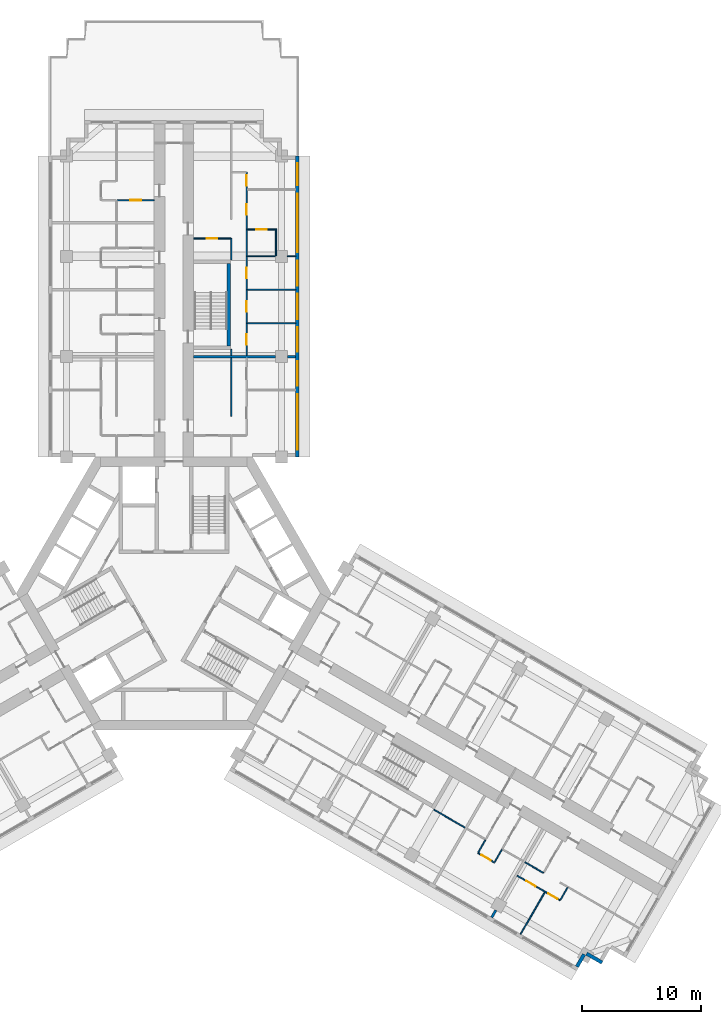
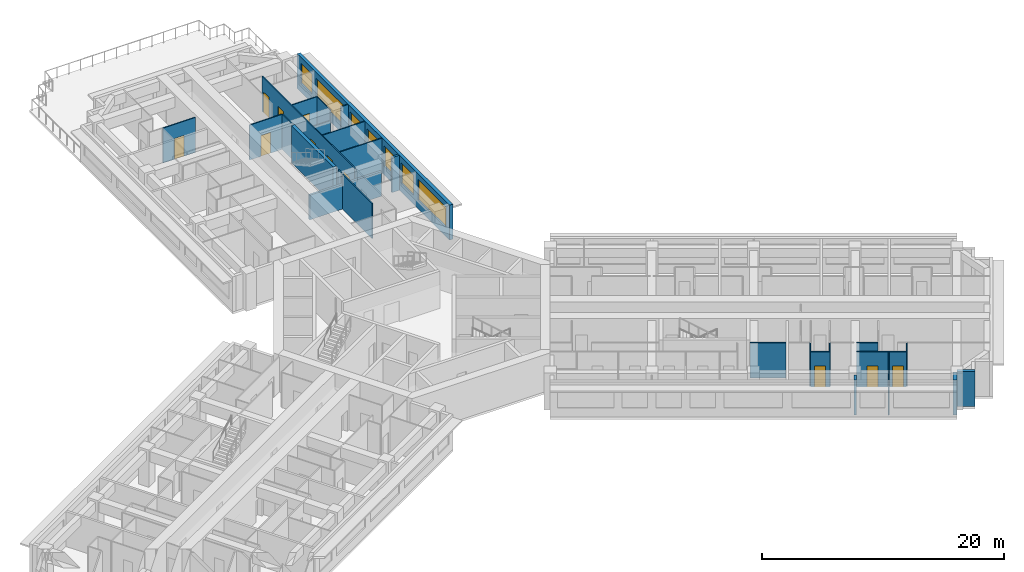
# One storey, part 10 of 16: 27 walls, 11 doors, 7 windows, 18 openings.
"""IFC4 building model written with IfcOpenShell, lengths in metres."""

from ifc_helpers import new_model, si_unit, direction, frame, frame_2d, origin, place, context, subcontext, project, spatial, rectangle, extrude, material, layer, layer_set, type_object, element, fill, save


model = new_model("IFC4")

# Units and contexts
model_context = context("Model", 3, precision=1e-05, world=origin(), true_north=direction((0.0, 1.0)))
body_context = subcontext(model_context, "Body", "Model", "MODEL_VIEW")
ifc_project = project(units=[si_unit("LENGTHUNIT", "METRE"), si_unit("AREAUNIT", "SQUARE_METRE"), si_unit("VOLUMEUNIT", "CUBIC_METRE"), si_unit("PLANEANGLEUNIT", "RADIAN"), si_unit("MASSUNIT", "GRAM", prefix="KILO")], contexts=[model_context])

# Site, building, storey
site_placement = place(None, origin())
site = spatial("IfcSite", under=ifc_project, at=site_placement, CompositionType="ELEMENT")
building_placement = place(site_placement, origin())
building = spatial("IfcBuilding", under=site, at=building_placement, Name="Impinga Residences", CompositionType="ELEMENT")
storey_placement = place(building_placement, frame((0.0, 0.0, 106.0)))
storey = spatial("IfcBuildingStorey", under=building, at=storey_placement, Name="L25", CompositionType="ELEMENT", Elevation=106.0)

# Wall, openings, windows
ifc_material_1 = material(Name="Terracotta rainscreen on blockwork", Category="masonry")
ifc_layer_1 = layer(ifc_material_1, 0.300048828125)
ifc_layer_set_1 = layer_set([ifc_layer_1], Name="EW1 external wall, terracotta rainscreen on blockwork 300")
wall_type_1 = type_object("IfcWallType", Name="EW1 external wall, terracotta rainscreen on blockwork 300", PredefinedType="SOLIDWALL", material=ifc_layer_set_1)
wall_1_placement = place(storey_placement, frame((10.35009765625, 36.631591796875, 0.0), z_axis=(0.0, 0.0, 1.0), x_axis=(0.0, -1.0, 0.0)))
wall_1 = element("IfcWall", 1, at=wall_1_placement, inside=storey, type_object=wall_type_1, Name="External wall EW1 L25", PredefinedType="SOLIDWALL", context=body_context, shape_type="SweptSolid", body=[
    extrude(rectangle(XDim=25.199951171875, YDim=0.300048828125, at=frame_2d((12.60009765625, 0.0))), origin(), (0.0, 0.0, 1.0), 3.530029296875),
])
opening_1_placement = place(wall_1_placement, frame((0.60009765625, 0.0, 0.89990234375)))
opening_1 = element("IfcOpeningElement", 2, at=opening_1_placement, cuts=wall_1, Name="Opening W15", PredefinedType="OPENING", context=body_context, shape_type="SweptSolid", body=[
    extrude(rectangle(XDim=1.85009765625, YDim=2.050048828125, at=frame_2d((0.925048828125, 1.02490234375))), frame((0.0, 0.159912109375, 0.0), z_axis=(0.0, -1.0, 0.0), x_axis=(1.0, 0.0, 0.0)), (0.0, 0.0, 1.0), 0.320068359375),
])
opening_2_placement = place(wall_1_placement, frame((3.14990234375, 0.0, 0.89990234375)))
opening_2 = element("IfcOpeningElement", 3, at=opening_2_placement, cuts=wall_1, Name="Opening W16", PredefinedType="OPENING", context=body_context, shape_type="SweptSolid", body=[
    extrude(rectangle(XDim=4.89990234375, YDim=2.050048828125, at=frame_2d((2.449951171875, 1.02490234375))), frame((0.0, 0.159912109375, 0.0), z_axis=(0.0, -1.0, 0.0), x_axis=(1.0, 0.0, 0.0)), (0.0, 0.0, 1.0), 0.320068359375),
])
opening_3_placement = place(wall_1_placement, frame((8.75, 0.0, 0.89990234375)))
opening_3 = element("IfcOpeningElement", 4, at=opening_3_placement, cuts=wall_1, Name="Opening W9", PredefinedType="OPENING", context=body_context, shape_type="SweptSolid", body=[
    extrude(rectangle(XDim=2.10009765625, YDim=2.050048828125, at=frame_2d((1.050048828125, 1.02490234375))), frame((0.0, 0.159912109375, 0.0), z_axis=(0.0, -1.0, 0.0), x_axis=(1.0, 0.0, 0.0)), (0.0, 0.0, 1.0), 0.320068359375),
])
opening_4_placement = place(wall_1_placement, frame((11.550048828125, 0.0, 0.89990234375)))
opening_4 = element("IfcOpeningElement", 5, at=opening_4_placement, cuts=wall_1, Name="Opening W9", PredefinedType="OPENING", context=body_context, shape_type="SweptSolid", body=[
    extrude(rectangle(XDim=2.10009765625, YDim=2.050048828125, at=frame_2d((1.050048828125, 1.02490234375))), frame((0.0, 0.159912109375, 0.0), z_axis=(0.0, -1.0, 0.0), x_axis=(1.0, 0.0, 0.0)), (0.0, 0.0, 1.0), 0.320068359375),
])
opening_5_placement = place(wall_1_placement, frame((14.35009765625, 0.0, 0.89990234375)))
opening_5 = element("IfcOpeningElement", 6, at=opening_5_placement, cuts=wall_1, Name="Opening W14", PredefinedType="OPENING", context=body_context, shape_type="SweptSolid", body=[
    extrude(rectangle(XDim=2.050048828125, YDim=2.050048828125, at=frame_2d((1.02490234375, 1.02490234375))), frame((0.0, 0.159912109375, 0.0), z_axis=(0.0, -1.0, 0.0), x_axis=(1.0, 0.0, 0.0)), (0.0, 0.0, 1.0), 0.320068359375),
])
opening_6_placement = place(wall_1_placement, frame((17.199951171875, 0.0, 0.89990234375)))
opening_6 = element("IfcOpeningElement", 7, at=opening_6_placement, cuts=wall_1, Name="Opening W14", PredefinedType="OPENING", context=body_context, shape_type="SweptSolid", body=[
    extrude(rectangle(XDim=2.050048828125, YDim=2.050048828125, at=frame_2d((1.02490234375, 1.02490234375))), frame((0.0, 0.159912109375, 0.0), z_axis=(0.0, -1.0, 0.0), x_axis=(1.0, 0.0, 0.0)), (0.0, 0.0, 1.0), 0.320068359375),
])
opening_7_placement = place(wall_1_placement, frame((19.949951171875, 0.0, 0.89990234375)))
opening_7 = element("IfcOpeningElement", 8, at=opening_7_placement, cuts=wall_1, Name="Opening W10", PredefinedType="OPENING", context=body_context, shape_type="SweptSolid", body=[
    extrude(rectangle(XDim=4.64990234375, YDim=2.050048828125, at=frame_2d((2.324951171875, 1.02490234375))), frame((0.0, 0.159912109375, 0.0), z_axis=(0.0, -1.0, 0.0), x_axis=(1.0, 0.0, 0.0)), (0.0, 0.0, 1.0), 0.320068359375),
])
ifc_material_2 = material(Name="Aluminium window, clear double glazing", Category="aluminium")
window_type_1 = type_object("IfcWindowType", Name="W10 ribbon window 4650x2050", PartitioningType="SINGLE_PANEL", PredefinedType="WINDOW", material=ifc_material_2)
window_1_placement = place(opening_7_placement, origin())
window_1 = element("IfcWindow", 9, at=window_1_placement, inside=storey, type_object=window_type_1, Name="Window L25", OverallHeight=2.050048828125, OverallWidth=4.64990234375, PartitioningType="SINGLE_PANEL", PredefinedType="WINDOW", context=body_context, shape_type="SweptSolid", body=[
    extrude(rectangle(XDim=4.64990234375, YDim=2.050048828125, at=frame_2d((2.324951171875, 1.02490234375))), frame((0.0, 0.030029296875, 0.0), z_axis=(0.0, -1.0, 0.0), x_axis=(1.0, 0.0, 0.0)), (0.0, 0.0, 1.0), 0.06005859375),
])
fill(opening_7, window_1)
window_type_2 = type_object("IfcWindowType", Name="W14 ribbon window 2050x2050", PartitioningType="SINGLE_PANEL", PredefinedType="WINDOW", material=ifc_material_2)
window_2_placement = place(opening_5_placement, origin())
window_2 = element("IfcWindow", 10, at=window_2_placement, inside=storey, type_object=window_type_2, Name="Window L25", OverallHeight=2.050048828125, OverallWidth=2.050048828125, PartitioningType="SINGLE_PANEL", PredefinedType="WINDOW", context=body_context, shape_type="SweptSolid", body=[
    extrude(rectangle(XDim=2.050048828125, YDim=2.050048828125, at=frame_2d((1.02490234375, 1.02490234375))), frame((0.0, 0.030029296875, 0.0), z_axis=(0.0, -1.0, 0.0), x_axis=(1.0, 0.0, 0.0)), (0.0, 0.0, 1.0), 0.06005859375),
])
fill(opening_5, window_2)
window_3_placement = place(opening_6_placement, origin())
window_3 = element("IfcWindow", 11, at=window_3_placement, inside=storey, type_object=window_type_2, Name="Window L25", OverallHeight=2.050048828125, OverallWidth=2.050048828125, PartitioningType="SINGLE_PANEL", PredefinedType="WINDOW", context=body_context, shape_type="SweptSolid", body=[
    extrude(rectangle(XDim=2.050048828125, YDim=2.050048828125, at=frame_2d((1.02490234375, 1.02490234375))), frame((0.0, 0.030029296875, 0.0), z_axis=(0.0, -1.0, 0.0), x_axis=(1.0, 0.0, 0.0)), (0.0, 0.0, 1.0), 0.06005859375),
])
fill(opening_6, window_3)
window_type_3 = type_object("IfcWindowType", Name="W15 ribbon window 1850x2050", PartitioningType="SINGLE_PANEL", PredefinedType="WINDOW", material=ifc_material_2)
window_4_placement = place(opening_1_placement, origin())
window_4 = element("IfcWindow", 12, at=window_4_placement, inside=storey, type_object=window_type_3, Name="Window L25", OverallHeight=2.050048828125, OverallWidth=1.85009765625, PartitioningType="SINGLE_PANEL", PredefinedType="WINDOW", context=body_context, shape_type="SweptSolid", body=[
    extrude(rectangle(XDim=1.85009765625, YDim=2.050048828125, at=frame_2d((0.925048828125, 1.02490234375))), frame((0.0, 0.030029296875, 0.0), z_axis=(0.0, -1.0, 0.0), x_axis=(1.0, 0.0, 0.0)), (0.0, 0.0, 1.0), 0.06005859375),
])
fill(opening_1, window_4)
window_type_4 = type_object("IfcWindowType", Name="W16 ribbon window 4900x2050", PartitioningType="SINGLE_PANEL", PredefinedType="WINDOW", material=ifc_material_2)
window_5_placement = place(opening_2_placement, origin())
window_5 = element("IfcWindow", 13, at=window_5_placement, inside=storey, type_object=window_type_4, Name="Window L25", OverallHeight=2.050048828125, OverallWidth=4.89990234375, PartitioningType="SINGLE_PANEL", PredefinedType="WINDOW", context=body_context, shape_type="SweptSolid", body=[
    extrude(rectangle(XDim=4.89990234375, YDim=2.050048828125, at=frame_2d((2.449951171875, 1.02490234375))), frame((0.0, 0.030029296875, 0.0), z_axis=(0.0, -1.0, 0.0), x_axis=(1.0, 0.0, 0.0)), (0.0, 0.0, 1.0), 0.06005859375),
])
fill(opening_2, window_5)
window_type_5 = type_object("IfcWindowType", Name="W9 ribbon window 2100x2050", PartitioningType="SINGLE_PANEL", PredefinedType="WINDOW", material=ifc_material_2)
window_6_placement = place(opening_3_placement, origin())
window_6 = element("IfcWindow", 14, at=window_6_placement, inside=storey, type_object=window_type_5, Name="Window L25", OverallHeight=2.050048828125, OverallWidth=2.10009765625, PartitioningType="SINGLE_PANEL", PredefinedType="WINDOW", context=body_context, shape_type="SweptSolid", body=[
    extrude(rectangle(XDim=2.10009765625, YDim=2.050048828125, at=frame_2d((1.050048828125, 1.02490234375))), frame((0.0, 0.030029296875, 0.0), z_axis=(0.0, -1.0, 0.0), x_axis=(1.0, 0.0, 0.0)), (0.0, 0.0, 1.0), 0.06005859375),
])
fill(opening_3, window_6)
window_7_placement = place(opening_4_placement, origin())
window_7 = element("IfcWindow", 15, at=window_7_placement, inside=storey, type_object=window_type_5, Name="Window L25", OverallHeight=2.050048828125, OverallWidth=2.10009765625, PartitioningType="SINGLE_PANEL", PredefinedType="WINDOW", context=body_context, shape_type="SweptSolid", body=[
    extrude(rectangle(XDim=2.10009765625, YDim=2.050048828125, at=frame_2d((1.050048828125, 1.02490234375))), frame((0.0, 0.030029296875, 0.0), z_axis=(0.0, -1.0, 0.0), x_axis=(1.0, 0.0, 0.0)), (0.0, 0.0, 1.0), 0.06005859375),
])
fill(opening_4, window_7)

# Walls
wall_2_placement = place(storey_placement, frame((35.87255859375, -30.93017578125, 0.0), z_axis=(0.0, 0.0, 1.0), x_axis=(-0.866031096941, 0.499990139034, 0.0)))
element("IfcWall", 16, at=wall_2_placement, inside=storey, type_object=wall_type_1, Name="External wall EW1 L25", PredefinedType="SOLIDWALL", context=body_context, shape_type="SweptSolid", body=[
    extrude(rectangle(XDim=1.5, YDim=0.300048828125, at=frame_2d((0.75, 0.0))), origin(), (0.0, 0.0, 1.0), 3.530029296875),
])
wall_3_placement = place(storey_placement, frame((34.365966796875, -30.2392578125, 0.0), z_axis=(0.0, 0.0, 1.0), x_axis=(-0.499940577336, -0.866059708757, 0.0)))
element("IfcWall", 17, at=wall_3_placement, inside=storey, type_object=wall_type_1, Name="External wall EW1 L25", PredefinedType="SOLIDWALL", context=body_context, shape_type="SweptSolid", body=[
    extrude(rectangle(XDim=1.195068359375, YDim=0.300048828125, at=frame_2d((0.59765625, 0.0))), origin(), (0.0, 0.0, 1.0), 3.530029296875),
])

# Wall, opening, door
ifc_material_3 = material(Name="Gypsum board on steel studs", Category="steel")
ifc_layer_2 = layer(ifc_material_3, 0.10009765625)
ifc_layer_set_2 = layer_set([ifc_layer_2], Name="Gypsum board on steel studs")
wall_type_2 = type_object("IfcWallType", Name="IP1 partition 100", PredefinedType="PARTITIONING", material=ifc_layer_set_2)
wall_4_placement = place(storey_placement, frame((-1.64990234375, 32.931640625, 0.0), z_axis=(0.0, 0.0, 1.0), x_axis=(-1.0, 0.0, 0.0)))
wall_4 = element("IfcWall", 18, at=wall_4_placement, inside=storey, type_object=wall_type_2, Name="Partition L25-NA4:IB1", PredefinedType="PARTITIONING", context=body_context, shape_type="SweptSolid", body=[
    extrude(rectangle(XDim=3.10009765625, YDim=0.10009765625, at=frame_2d((1.550048828125, 0.0))), origin(), (0.0, 0.0, 1.0), 3.530029296875),
])
opening_8_placement = place(wall_4_placement, frame((1.10009765625, 0.0, 0.0)))
opening_8 = element("IfcOpeningElement", 19, at=opening_8_placement, cuts=wall_4, Name="Opening D2", PredefinedType="OPENING", context=body_context, shape_type="SweptSolid", body=[
    extrude(rectangle(XDim=0.89990234375, YDim=2.10009765625, at=frame_2d((0.449951171875, 1.050048828125))), frame((0.0, 0.06005859375, 0.0), z_axis=(0.0, -1.0, 0.0), x_axis=(1.0, 0.0, 0.0)), (0.0, 0.0, 1.0), 0.1201171875),
])
ifc_material_4 = material(Name="Timber door set", Category="wood")
door_type = type_object("IfcDoorType", Name="D2 internal door 900x2100", OperationType="SINGLE_SWING_LEFT", PredefinedType="DOOR", material=ifc_material_4)
door_1_placement = place(opening_8_placement, origin())
door_1 = element("IfcDoor", 20, at=door_1_placement, inside=storey, type_object=door_type, Name="Apartment L25-NA4 bathroom door", OperationType="SINGLE_SWING_LEFT", OverallHeight=2.10009765625, OverallWidth=0.89990234375, PredefinedType="DOOR", context=body_context, shape_type="SweptSolid", body=[
    extrude(rectangle(XDim=0.89990234375, YDim=2.10009765625, at=frame_2d((0.449951171875, 1.050048828125))), frame((0.0, 0.02490234375, 0.0), z_axis=(0.0, -1.0, 0.0), x_axis=(1.0, 0.0, 0.0)), (0.0, 0.0, 1.0), 0.050048828125),
])
fill(opening_8, door_1)

# Walls
wall_5_placement = place(storey_placement, frame((4.800048828125, 14.83154296875, 0.0), z_axis=(0.0, 0.0, 1.0), x_axis=(0.0, 1.0, 0.0)))
element("IfcWall", 21, at=wall_5_placement, inside=storey, type_object=wall_type_2, Name="Partition L25-NF1:DIV1", PredefinedType="PARTITIONING", context=body_context, shape_type="SweptSolid", body=[
    extrude(rectangle(XDim=4.89990234375, YDim=0.10009765625, at=frame_2d((2.449951171875, 0.0))), origin(), (0.0, 0.0, 1.0), 3.530029296875),
])
wall_6_placement = place(storey_placement, frame((4.800048828125, 19.931640625, 0.0), z_axis=(0.0, 0.0, 1.0), x_axis=(0.0, 1.0, 0.0)))
element("IfcWall", 22, at=wall_6_placement, inside=storey, type_object=wall_type_2, Name="Partition L25-NF2:DIV0", PredefinedType="PARTITIONING", context=body_context, shape_type="SweptSolid", body=[
    extrude(rectangle(XDim=0.5, YDim=0.10009765625, at=frame_2d((0.25, 0.0))), origin(), (0.0, 0.0, 1.0), 3.530029296875),
])
wall_7_placement = place(storey_placement, frame((4.800048828125, 27.931640625, 0.0), z_axis=(0.0, 0.0, 1.0), x_axis=(0.0, 1.0, 0.0)))
element("IfcWall", 23, at=wall_7_placement, inside=storey, type_object=wall_type_2, Name="Partition L25-NF2:DIV1", PredefinedType="PARTITIONING", context=body_context, shape_type="SweptSolid", body=[
    extrude(rectangle(XDim=1.7998046875, YDim=0.10009765625, at=frame_2d((0.89990234375, 0.0))), origin(), (0.0, 0.0, 1.0), 3.530029296875),
])

# Wall, openings, doors
wall_8_placement = place(storey_placement, frame((6.10009765625, 19.931640625, 0.0), z_axis=(0.0, 0.0, 1.0), x_axis=(0.0, 1.0, 0.0)))
wall_8 = element("IfcWall", 24, at=wall_8_placement, inside=storey, type_object=wall_type_2, Name="Partition L25-NF2:STRIP", PredefinedType="PARTITIONING", context=body_context, shape_type="SweptSolid", body=[
    extrude(rectangle(XDim=15.349853515625, YDim=0.10009765625, at=frame_2d((7.6748046875, 0.0))), origin(), (0.0, 0.0, 1.0), 3.530029296875),
])
opening_9_placement = place(wall_8_placement, frame((0.875, 0.0, 0.0)))
opening_9 = element("IfcOpeningElement", 25, at=opening_9_placement, cuts=wall_8, Name="Opening D2", PredefinedType="OPENING", context=body_context, shape_type="SweptSolid", body=[
    extrude(rectangle(XDim=0.89990234375, YDim=2.10009765625, at=frame_2d((0.449951171875, 1.050048828125))), frame((0.0, 0.06005859375, 0.0), z_axis=(0.0, -1.0, 0.0), x_axis=(1.0, 0.0, 0.0)), (0.0, 0.0, 1.0), 0.1201171875),
])
opening_10_placement = place(wall_8_placement, frame((3.64990234375, 0.0, 0.0)))
opening_10 = element("IfcOpeningElement", 26, at=opening_10_placement, cuts=wall_8, Name="Opening D2", PredefinedType="OPENING", context=body_context, shape_type="SweptSolid", body=[
    extrude(rectangle(XDim=0.89990234375, YDim=2.10009765625, at=frame_2d((0.449951171875, 1.050048828125))), frame((0.0, 0.06005859375, 0.0), z_axis=(0.0, -1.0, 0.0), x_axis=(1.0, 0.0, 0.0)), (0.0, 0.0, 1.0), 0.1201171875),
])
opening_11_placement = place(wall_8_placement, frame((6.449951171875, 0.0, 0.0)))
opening_11 = element("IfcOpeningElement", 27, at=opening_11_placement, cuts=wall_8, Name="Opening D2", PredefinedType="OPENING", context=body_context, shape_type="SweptSolid", body=[
    extrude(rectangle(XDim=0.89990234375, YDim=2.10009765625, at=frame_2d((0.449951171875, 1.050048828125))), frame((0.0, 0.06005859375, 0.0), z_axis=(0.0, -1.0, 0.0), x_axis=(1.0, 0.0, 0.0)), (0.0, 0.0, 1.0), 0.1201171875),
])
opening_12_placement = place(wall_8_placement, frame((11.77490234375, 0.0, 0.0)))
opening_12 = element("IfcOpeningElement", 28, at=opening_12_placement, cuts=wall_8, Name="Opening D2", PredefinedType="OPENING", context=body_context, shape_type="SweptSolid", body=[
    extrude(rectangle(XDim=0.89990234375, YDim=2.10009765625, at=frame_2d((0.449951171875, 1.050048828125))), frame((0.0, 0.06005859375, 0.0), z_axis=(0.0, -1.0, 0.0), x_axis=(1.0, 0.0, 0.0)), (0.0, 0.0, 1.0), 0.1201171875),
])
opening_13_placement = place(wall_8_placement, frame((14.199951171875, 0.0, 0.0)))
opening_13 = element("IfcOpeningElement", 29, at=opening_13_placement, cuts=wall_8, Name="Opening D2", PredefinedType="OPENING", context=body_context, shape_type="SweptSolid", body=[
    extrude(rectangle(XDim=0.89990234375, YDim=2.10009765625, at=frame_2d((0.449951171875, 1.050048828125))), frame((0.0, 0.06005859375, 0.0), z_axis=(0.0, -1.0, 0.0), x_axis=(1.0, 0.0, 0.0)), (0.0, 0.0, 1.0), 0.1201171875),
])
door_2_placement = place(opening_9_placement, origin())
door_2 = element("IfcDoor", 30, at=door_2_placement, inside=storey, type_object=door_type, Name="Apartment L25-NF2 room door", OperationType="SINGLE_SWING_LEFT", OverallHeight=2.10009765625, OverallWidth=0.89990234375, PredefinedType="DOOR", context=body_context, shape_type="SweptSolid", body=[
    extrude(rectangle(XDim=0.89990234375, YDim=2.10009765625, at=frame_2d((0.449951171875, 1.050048828125))), frame((0.0, 0.02490234375, 0.0), z_axis=(0.0, -1.0, 0.0), x_axis=(1.0, 0.0, 0.0)), (0.0, 0.0, 1.0), 0.050048828125),
])
fill(opening_9, door_2)
door_3_placement = place(opening_10_placement, origin())
door_3 = element("IfcDoor", 31, at=door_3_placement, inside=storey, type_object=door_type, Name="Apartment L25-NF2 room door", OperationType="SINGLE_SWING_LEFT", OverallHeight=2.10009765625, OverallWidth=0.89990234375, PredefinedType="DOOR", context=body_context, shape_type="SweptSolid", body=[
    extrude(rectangle(XDim=0.89990234375, YDim=2.10009765625, at=frame_2d((0.449951171875, 1.050048828125))), frame((0.0, 0.02490234375, 0.0), z_axis=(0.0, -1.0, 0.0), x_axis=(1.0, 0.0, 0.0)), (0.0, 0.0, 1.0), 0.050048828125),
])
fill(opening_10, door_3)
door_4_placement = place(opening_11_placement, origin())
door_4 = element("IfcDoor", 32, at=door_4_placement, inside=storey, type_object=door_type, Name="Apartment L25-NF2 room door", OperationType="SINGLE_SWING_LEFT", OverallHeight=2.10009765625, OverallWidth=0.89990234375, PredefinedType="DOOR", context=body_context, shape_type="SweptSolid", body=[
    extrude(rectangle(XDim=0.89990234375, YDim=2.10009765625, at=frame_2d((0.449951171875, 1.050048828125))), frame((0.0, 0.02490234375, 0.0), z_axis=(0.0, -1.0, 0.0), x_axis=(1.0, 0.0, 0.0)), (0.0, 0.0, 1.0), 0.050048828125),
])
fill(opening_11, door_4)
door_5_placement = place(opening_12_placement, origin())
door_5 = element("IfcDoor", 33, at=door_5_placement, inside=storey, type_object=door_type, Name="Apartment L25-NF2 room door", OperationType="SINGLE_SWING_RIGHT", OverallHeight=2.10009765625, OverallWidth=0.89990234375, PredefinedType="DOOR", context=body_context, shape_type="SweptSolid", body=[
    extrude(rectangle(XDim=0.89990234375, YDim=2.10009765625, at=frame_2d((0.449951171875, 1.050048828125))), frame((0.0, 0.02490234375, 0.0), z_axis=(0.0, -1.0, 0.0), x_axis=(1.0, 0.0, 0.0)), (0.0, 0.0, 1.0), 0.050048828125),
])
fill(opening_12, door_5)
door_6_placement = place(opening_13_placement, origin())
door_6 = element("IfcDoor", 34, at=door_6_placement, inside=storey, type_object=door_type, Name="Apartment L25-NF2 room door", OperationType="SINGLE_SWING_RIGHT", OverallHeight=2.10009765625, OverallWidth=0.89990234375, PredefinedType="DOOR", context=body_context, shape_type="SweptSolid", body=[
    extrude(rectangle(XDim=0.89990234375, YDim=2.10009765625, at=frame_2d((0.449951171875, 1.050048828125))), frame((0.0, 0.02490234375, 0.0), z_axis=(0.0, -1.0, 0.0), x_axis=(1.0, 0.0, 0.0)), (0.0, 0.0, 1.0), 0.050048828125),
])
fill(opening_13, door_6)

# Wall, opening, door
wall_9_placement = place(storey_placement, frame((1.64990234375, 29.7314453125, 0.0), z_axis=(0.0, 0.0, 1.0), x_axis=(1.0, 0.0, 0.0)))
wall_9 = element("IfcWall", 35, at=wall_9_placement, inside=storey, type_object=wall_type_2, Name="Partition L25-NF2:IB1", PredefinedType="PARTITIONING", context=body_context, shape_type="SweptSolid", body=[
    extrude(rectangle(XDim=3.10009765625, YDim=0.10009765625, at=frame_2d((1.550048828125, 0.0))), origin(), (0.0, 0.0, 1.0), 3.530029296875),
])
opening_14_placement = place(wall_9_placement, frame((1.10009765625, 0.0, 0.0)))
opening_14 = element("IfcOpeningElement", 36, at=opening_14_placement, cuts=wall_9, Name="Opening D2", PredefinedType="OPENING", context=body_context, shape_type="SweptSolid", body=[
    extrude(rectangle(XDim=0.89990234375, YDim=2.10009765625, at=frame_2d((0.449951171875, 1.050048828125))), frame((0.0, 0.06005859375, 0.0), z_axis=(0.0, -1.0, 0.0), x_axis=(1.0, 0.0, 0.0)), (0.0, 0.0, 1.0), 0.1201171875),
])
door_7_placement = place(opening_14_placement, origin())
door_7 = element("IfcDoor", 37, at=door_7_placement, inside=storey, type_object=door_type, Name="Apartment L25-NF2 bathroom door", OperationType="SINGLE_SWING_LEFT", OverallHeight=2.10009765625, OverallWidth=0.89990234375, PredefinedType="DOOR", context=body_context, shape_type="SweptSolid", body=[
    extrude(rectangle(XDim=0.89990234375, YDim=2.10009765625, at=frame_2d((0.449951171875, 1.050048828125))), frame((0.0, 0.02490234375, 0.0), z_axis=(0.0, -1.0, 0.0), x_axis=(1.0, 0.0, 0.0)), (0.0, 0.0, 1.0), 0.050048828125),
])
fill(opening_14, door_7)

# Walls
for number, where, z_axis, x_axis, name in (
    (38, (6.14990234375, 22.631591796875, 0.0), (0.0, 0.0, 1.0), (1.0, 0.0, 0.0), "Partition L25-NF2:OB1"),
    (39, (6.14990234375, 25.431640625, 0.0), (0.0, 0.0, 1.0), (1.0, 0.0, 0.0), "Partition L25-NF2:OB2"),
):
    element("IfcWall", number, at=place(storey_placement, frame(where, z_axis=z_axis, x_axis=x_axis)), inside=storey, type_object=wall_type_2, Name=name, PredefinedType="PARTITIONING", context=body_context, shape_type="SweptSolid", body=[
        extrude(rectangle(XDim=4.050048828125, YDim=0.10009765625, at=frame_2d((2.02490234375, 0.0))), origin(), (0.0, 0.0, 1.0), 3.530029296875),
    ])
wall_10_placement = place(storey_placement, frame((6.14990234375, 28.2314453125, 0.0), z_axis=(0.0, 0.0, 1.0), x_axis=(1.0, 0.0, 0.0)))
element("IfcWall", 40, at=wall_10_placement, inside=storey, type_object=wall_type_2, Name="Partition L25-NF2:OB3", PredefinedType="PARTITIONING", context=body_context, shape_type="SweptSolid", body=[
    extrude(rectangle(XDim=2.35009765625, YDim=0.10009765625, at=frame_2d((1.175048828125, 0.0))), origin(), (0.0, 0.0, 1.0), 2.47998046875),
])
wall_11_placement = place(storey_placement, frame((9.5, 28.2314453125, 0.0), z_axis=(0.0, 0.0, 1.0), x_axis=(1.0, 0.0, 0.0)))
element("IfcWall", 41, at=wall_11_placement, inside=storey, type_object=wall_type_2, Name="Partition L25-NF2:OB3b", PredefinedType="PARTITIONING", context=body_context, shape_type="SweptSolid", body=[
    extrude(rectangle(XDim=0.699951171875, YDim=0.10009765625, at=frame_2d((0.35009765625, 0.0))), origin(), (0.0, 0.0, 1.0), 3.530029296875),
])

# Wall, opening, door
wall_12_placement = place(storey_placement, frame((6.14990234375, 30.4814453125, 0.0), z_axis=(0.0, 0.0, 1.0), x_axis=(1.0, 0.0, 0.0)))
wall_12 = element("IfcWall", 42, at=wall_12_placement, inside=storey, type_object=wall_type_2, Name="Partition L25-NF2:EN1", PredefinedType="PARTITIONING", context=body_context, shape_type="SweptSolid", body=[
    extrude(rectangle(XDim=2.4501953125, YDim=0.10009765625, at=frame_2d((1.22509765625, 0.0))), origin(), (0.0, 0.0, 1.0), 3.530029296875),
])
opening_15_placement = place(wall_12_placement, frame((0.75, 0.0, 0.0)))
opening_15 = element("IfcOpeningElement", 43, at=opening_15_placement, cuts=wall_12, Name="Opening D2", PredefinedType="OPENING", context=body_context, shape_type="SweptSolid", body=[
    extrude(rectangle(XDim=0.89990234375, YDim=2.10009765625, at=frame_2d((0.449951171875, 1.050048828125))), frame((0.0, 0.06005859375, 0.0), z_axis=(0.0, -1.0, 0.0), x_axis=(1.0, 0.0, 0.0)), (0.0, 0.0, 1.0), 0.1201171875),
])
door_8_placement = place(opening_15_placement, origin())
door_8 = element("IfcDoor", 44, at=door_8_placement, inside=storey, type_object=door_type, Name="Apartment L25-NF2 en-suite door", OperationType="SINGLE_SWING_LEFT", OverallHeight=2.10009765625, OverallWidth=0.89990234375, PredefinedType="DOOR", context=body_context, shape_type="SweptSolid", body=[
    extrude(rectangle(XDim=0.89990234375, YDim=2.10009765625, at=frame_2d((0.449951171875, 1.050048828125))), frame((0.0, 0.02490234375, 0.0), z_axis=(0.0, -1.0, 0.0), x_axis=(1.0, 0.0, 0.0)), (0.0, 0.0, 1.0), 0.050048828125),
])
fill(opening_15, door_8)

# Walls
wall_13_placement = place(storey_placement, frame((8.550048828125, 28.281494140625, 0.0), z_axis=(0.0, 0.0, 1.0), x_axis=(0.0, 1.0, 0.0)))
element("IfcWall", 45, at=wall_13_placement, inside=storey, type_object=wall_type_2, Name="Partition L25-NF2:EN2", PredefinedType="PARTITIONING", context=body_context, shape_type="SweptSolid", body=[
    extrude(rectangle(XDim=2.150146484375, YDim=0.10009765625, at=frame_2d((1.0751953125, 0.0))), origin(), (0.0, 0.0, 1.0), 3.530029296875),
])
wall_14_placement = place(storey_placement, frame((21.789306640625, -18.122802734375, 0.0), z_axis=(0.0, 0.0, 1.0), x_axis=(0.866031096941, -0.499990139034, 0.0)))
element("IfcWall", 46, at=wall_14_placement, inside=storey, type_object=wall_type_2, Name="Partition L25-EF1:DIV2", PredefinedType="PARTITIONING", context=body_context, shape_type="SweptSolid", body=[
    extrude(rectangle(XDim=3.0, YDim=0.10009765625, at=frame_2d((1.5, 0.0))), origin(), (0.0, 0.0, 1.0), 3.530029296875),
])

# Wall, opening, door
wall_15_placement = place(storey_placement, frame((25.469482421875, -21.74853515625, 0.0), z_axis=(0.0, 0.0, 1.0), x_axis=(0.866028054938, -0.499995408039, 0.0)))
wall_15 = element("IfcWall", 47, at=wall_15_placement, inside=storey, type_object=wall_type_2, Name="Partition L25-EF2:STRIP", PredefinedType="PARTITIONING", context=body_context, shape_type="SweptSolid", body=[
    extrude(rectangle(XDim=1.60009765625, YDim=0.10009765625, at=frame_2d((0.800048828125, 0.0))), origin(), (0.0, 0.0, 1.0), 3.530029296875),
])
opening_16_placement = place(wall_15_placement, frame((0.35009765625, 0.0, 0.0)))
opening_16 = element("IfcOpeningElement", 48, at=opening_16_placement, cuts=wall_15, Name="Opening D2", PredefinedType="OPENING", context=body_context, shape_type="SweptSolid", body=[
    extrude(rectangle(XDim=0.89990234375, YDim=2.10009765625, at=frame_2d((0.449951171875, 1.050048828125))), frame((0.0, 0.06005859375, 0.0), z_axis=(0.0, -1.0, 0.0), x_axis=(1.0, 0.0, 0.0)), (0.0, 0.0, 1.0), 0.1201171875),
])
door_9_placement = place(opening_16_placement, origin())
door_9 = element("IfcDoor", 49, at=door_9_placement, inside=storey, type_object=door_type, Name="Apartment L25-EF2 room door", OperationType="SINGLE_SWING_LEFT", OverallHeight=2.10009765625, OverallWidth=0.89990234375, PredefinedType="DOOR", context=body_context, shape_type="SweptSolid", body=[
    extrude(rectangle(XDim=0.89990234375, YDim=2.10009765625, at=frame_2d((0.449951171875, 1.050048828125))), frame((0.0, 0.02490234375, 0.0), z_axis=(0.0, -1.0, 0.0), x_axis=(1.0, 0.0, 0.0)), (0.0, 0.0, 1.0), 0.050048828125),
])
fill(opening_16, door_9)

# Walls
for number, where, z_axis, x_axis, name in (
    (50, (26.094482421875, -20.666015625, 0.0), (0.0, 0.0, 1.0), (-0.499880961361, -0.866094119867, 0.0), "Partition L25-EF2:SE0"),
    (51, (27.480224609375, -21.466064453125, 0.0), (0.0, 0.0, 1.0), (-0.50012165622, -0.865955154139, 0.0), "Partition L25-EF2:SE1"),
):
    element("IfcWall", number, at=place(storey_placement, frame(where, z_axis=z_axis, x_axis=x_axis)), inside=storey, type_object=wall_type_2, Name=name, PredefinedType="PARTITIONING", context=body_context, shape_type="SweptSolid", body=[
        extrude(rectangle(XDim=1.199951171875, YDim=0.10009765625, at=frame_2d((0.60009765625, 0.0))), origin(), (0.0, 0.0, 1.0), 3.530029296875),
    ])
wall_16_placement = place(storey_placement, frame((29.410400390625, -22.522705078125, 0.0), z_axis=(0.0, 0.0, 1.0), x_axis=(0.866047807691, -0.499961193289, 0.0)))
element("IfcWall", 52, at=wall_16_placement, inside=storey, type_object=wall_type_2, Name="Partition L25-EF3:DIV0", PredefinedType="PARTITIONING", context=body_context, shape_type="SweptSolid", body=[
    extrude(rectangle(XDim=1.800048828125, YDim=0.10009765625, at=frame_2d((0.89990234375, 0.0))), origin(), (0.0, 0.0, 1.0), 3.530029296875),
])

# Wall, openings, doors
wall_17_placement = place(storey_placement, frame((28.760498046875, -23.6484375, 0.0), z_axis=(0.0, 0.0, 1.0), x_axis=(0.866004344652, -0.500036473714, 0.0)))
wall_17 = element("IfcWall", 53, at=wall_17_placement, inside=storey, type_object=wall_type_2, Name="Partition L25-EF3:STRIP", PredefinedType="PARTITIONING", context=body_context, shape_type="SweptSolid", body=[
    extrude(rectangle(XDim=4.150146484375, YDim=0.10009765625, at=frame_2d((2.0751953125, 0.0))), origin(), (0.0, 0.0, 1.0), 3.530029296875),
])
opening_17_placement = place(wall_17_placement, frame((0.875, 0.0, 0.0)))
opening_17 = element("IfcOpeningElement", 54, at=opening_17_placement, cuts=wall_17, Name="Opening D2", PredefinedType="OPENING", context=body_context, shape_type="SweptSolid", body=[
    extrude(rectangle(XDim=0.89990234375, YDim=2.10009765625, at=frame_2d((0.449951171875, 1.050048828125))), frame((0.0, 0.06005859375, 0.0), z_axis=(0.0, -1.0, 0.0), x_axis=(1.0, 0.0, 0.0)), (0.0, 0.0, 1.0), 0.1201171875),
])
opening_18_placement = place(wall_17_placement, frame((3.0, 0.0, 0.0)))
opening_18 = element("IfcOpeningElement", 55, at=opening_18_placement, cuts=wall_17, Name="Opening D2", PredefinedType="OPENING", context=body_context, shape_type="SweptSolid", body=[
    extrude(rectangle(XDim=0.89990234375, YDim=2.10009765625, at=frame_2d((0.449951171875, 1.050048828125))), frame((0.0, 0.06005859375, 0.0), z_axis=(0.0, -1.0, 0.0), x_axis=(1.0, 0.0, 0.0)), (0.0, 0.0, 1.0), 0.1201171875),
])
door_10_placement = place(opening_17_placement, origin())
door_10 = element("IfcDoor", 56, at=door_10_placement, inside=storey, type_object=door_type, Name="Apartment L25-EF3 room door", OperationType="SINGLE_SWING_LEFT", OverallHeight=2.10009765625, OverallWidth=0.89990234375, PredefinedType="DOOR", context=body_context, shape_type="SweptSolid", body=[
    extrude(rectangle(XDim=0.89990234375, YDim=2.10009765625, at=frame_2d((0.449951171875, 1.050048828125))), frame((0.0, 0.02490234375, 0.0), z_axis=(0.0, -1.0, 0.0), x_axis=(1.0, 0.0, 0.0)), (0.0, 0.0, 1.0), 0.050048828125),
])
fill(opening_17, door_10)
door_11_placement = place(opening_18_placement, origin())
door_11 = element("IfcDoor", 57, at=door_11_placement, inside=storey, type_object=door_type, Name="Apartment L25-EF3 room door", OperationType="SINGLE_SWING_RIGHT", OverallHeight=2.10009765625, OverallWidth=0.89990234375, PredefinedType="DOOR", context=body_context, shape_type="SweptSolid", body=[
    extrude(rectangle(XDim=0.89990234375, YDim=2.10009765625, at=frame_2d((0.449951171875, 1.050048828125))), frame((0.0, 0.02490234375, 0.0), z_axis=(0.0, -1.0, 0.0), x_axis=(1.0, 0.0, 0.0)), (0.0, 0.0, 1.0), 0.050048828125),
])
fill(opening_18, door_11)

# Walls
wall_18_placement = place(storey_placement, frame((32.9794921875, -24.640869140625, 0.0), z_axis=(0.0, 0.0, 1.0), x_axis=(-0.500033551112, -0.866006032174, 0.0)))
element("IfcWall", 58, at=wall_18_placement, inside=storey, type_object=wall_type_2, Name="Partition L25-EF3:SE1", PredefinedType="PARTITIONING", context=body_context, shape_type="SweptSolid", body=[
    extrude(rectangle(XDim=1.2001953125, YDim=0.10009765625, at=frame_2d((0.60009765625, 0.0))), origin(), (0.0, 0.0, 1.0), 3.530029296875),
])
wall_19_placement = place(storey_placement, frame((31.07373046875, -25.041748046875, 0.0), z_axis=(0.0, 0.0, 1.0), x_axis=(-0.499964223975, -0.866046058097, 0.0)))
element("IfcWall", 59, at=wall_19_placement, inside=storey, type_object=wall_type_2, Name="Partition L25-EF3:OB1", PredefinedType="PARTITIONING", context=body_context, shape_type="SweptSolid", body=[
    extrude(rectangle(XDim=4.050048828125, YDim=0.10009765625, at=frame_2d((2.02490234375, 0.0))), origin(), (0.0, 0.0, 1.0), 3.530029296875),
])
ifc_material_5 = material(Name="Concrete blockwork", Category="masonry")
ifc_layer_3 = layer(ifc_material_5, 0.199951171875)
ifc_layer_set_3 = layer_set([ifc_layer_3], Name="PW1 party wall between apartments 200")
wall_type_3 = type_object("IfcWallType", Name="PW1 party wall between apartments 200", PredefinedType="SOLIDWALL", material=ifc_layer_set_3)
wall_20_placement = place(storey_placement, frame((1.64990234375, 19.83154296875, 0.0), z_axis=(0.0, 0.0, 1.0), x_axis=(1.0, 0.0, 0.0)))
element("IfcWall", 60, at=wall_20_placement, inside=storey, type_object=wall_type_3, Name="Party wall between apartments L25-NF1:PARTY", PredefinedType="SOLIDWALL", context=body_context, shape_type="SweptSolid", body=[
    extrude(rectangle(XDim=6.85009765625, YDim=0.199951171875, at=frame_2d((3.425048828125, 0.0))), origin(), (0.0, 0.0, 1.0), 2.47998046875),
])
for number, where, z_axis, x_axis, name in (
    (61, (9.5, 19.83154296875, 0.0), (0.0, 0.0, 1.0), (1.0, 0.0, 0.0), "Party wall between apartments L25-NF1:PARTYb"),
    (62, (26.973876953125, -26.54296875, 0.0), (0.0, 0.0, 1.0), (-0.500114896893, -0.865959057869, 0.0), "Party wall between apartments L25-EF2:PARTYb"),
):
    element("IfcWall", number, at=place(storey_placement, frame(where, z_axis=z_axis, x_axis=x_axis)), inside=storey, type_object=wall_type_3, Name=name, PredefinedType="SOLIDWALL", context=body_context, shape_type="SweptSolid", body=[
        extrude(rectangle(XDim=0.699951171875, YDim=0.199951171875, at=frame_2d((0.35009765625, 0.0))), origin(), (0.0, 0.0, 1.0), 3.530029296875),
    ])
ifc_material_6 = material(Name="Concrete C60/75", Category="concrete")
ifc_layer_4 = layer(ifc_material_6, 0.300048828125)
ifc_layer_set_4 = layer_set([ifc_layer_4], Name="Concrete C60/75")
wall_type_4 = type_object("IfcWallType", Name="SE1 wing stair enclosure wall 300", PredefinedType="SOLIDWALL", material=ifc_layer_set_4)
wall_21_placement = place(storey_placement, frame((4.60009765625, 20.7314453125, 0.0), z_axis=(0.0, 0.0, 1.0), x_axis=(0.0, 1.0, 0.0)))
element("IfcWall", 63, at=wall_21_placement, inside=storey, type_object=wall_type_4, Name="Stair enclosure wall SE1 N OUT L25", PredefinedType="SOLIDWALL", context=body_context, shape_type="SweptSolid", body=[
    extrude(rectangle(XDim=6.900146484375, YDim=0.300048828125, at=frame_2d((3.4501953125, 0.0))), origin(), (0.0, 0.0, 1.0), 3.75),
])

save(model, "model.ifc")
